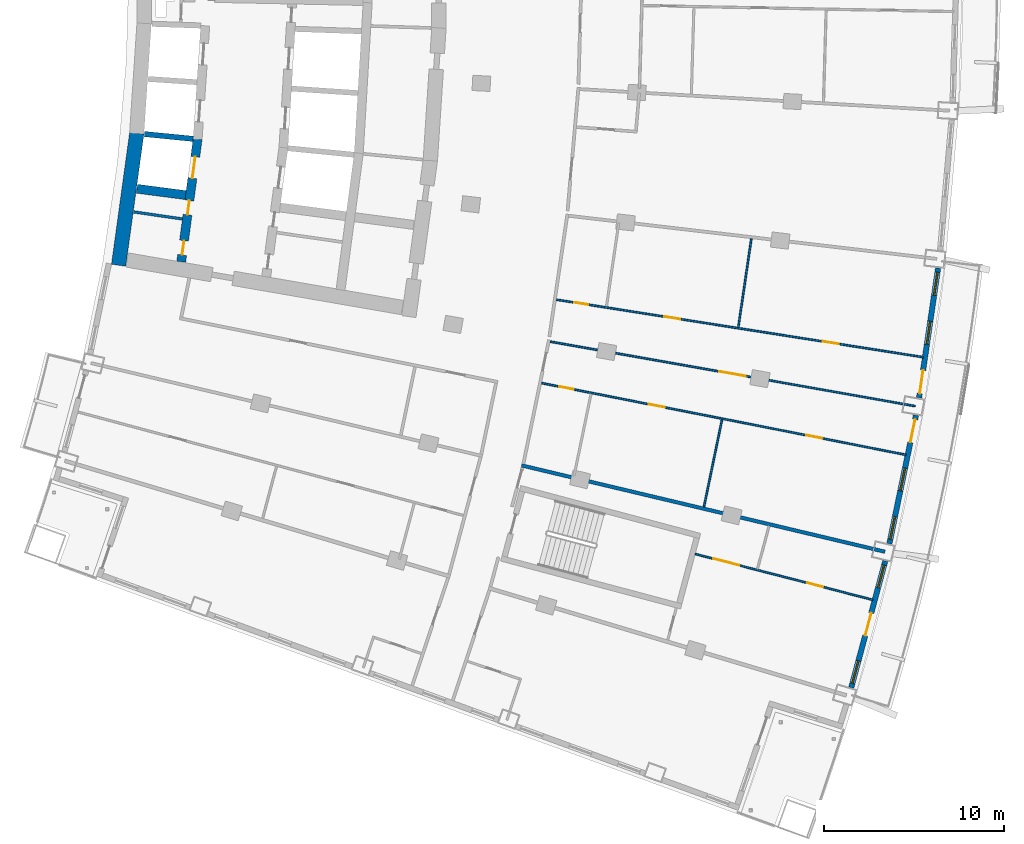
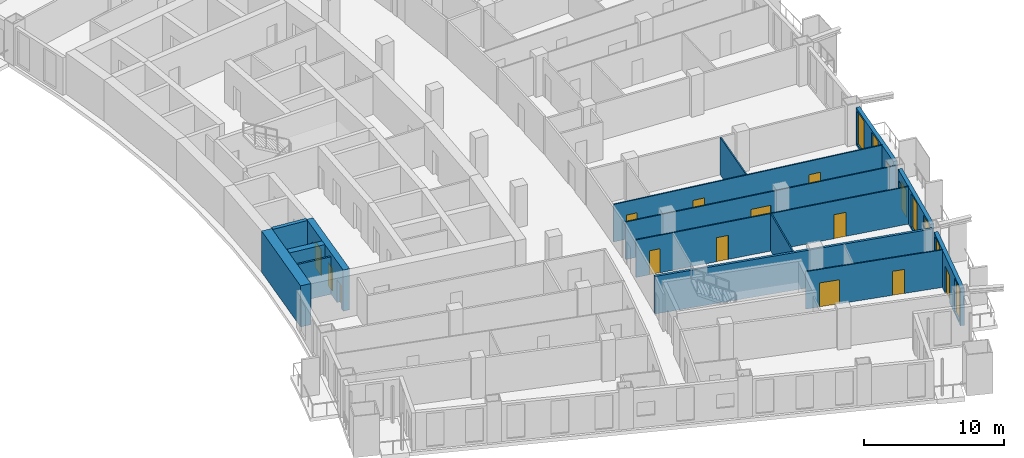
# One storey, part 15 of 25: 15 doors, 15 walls, 6 windows, 21 openings.
"""IFC4 building model written with IfcOpenShell, lengths in metres."""

from ifc_helpers import new_model, si_unit, direction, frame, frame_2d, origin, place, context, subcontext, project, spatial, rectangle, extrude, material, layer, layer_set, type_object, element, fill, save


model = new_model("IFC4")

# Units and contexts
model_context = context("Model", 3, precision=1e-05, world=origin(), true_north=direction((0.0, 1.0)))
body_context = subcontext(model_context, "Body", "Model", "MODEL_VIEW")
ifc_project = project(units=[si_unit("LENGTHUNIT", "METRE"), si_unit("AREAUNIT", "SQUARE_METRE"), si_unit("VOLUMEUNIT", "CUBIC_METRE"), si_unit("PLANEANGLEUNIT", "RADIAN"), si_unit("MASSUNIT", "GRAM", prefix="KILO")], contexts=[model_context])

# Site, building, storey
site_placement = place(None, origin())
site = spatial("IfcSite", under=ifc_project, at=site_placement, CompositionType="ELEMENT")
building_placement = place(site_placement, origin())
building = spatial("IfcBuilding", under=site, at=building_placement, Name="Alderwake Tower", CompositionType="ELEMENT")
storey_placement = place(building_placement, frame((0.0, 0.0, 86.0)))
storey = spatial("IfcBuildingStorey", under=building, at=storey_placement, Name="L20", CompositionType="ELEMENT", Elevation=86.0)

# Walls
ifc_material_1 = material(Name="Gypsum shaft wall system, rated")
ifc_layer_1 = layer(ifc_material_1, 0.14990234375)
ifc_layer_set_1 = layer_set([ifc_layer_1], Name="Core room partition 150")
wall_type_1 = type_object("IfcWallType", Name="Core room partition 150", PredefinedType="PARTITIONING", material=ifc_layer_set_1)
wall_1_placement = place(storey_placement, frame((16.262451171875, 47.096435546875, 0.0), z_axis=(0.0, 0.0, 1.0), x_axis=(0.989725129284, -0.14298310552, 0.0)))
element("IfcWall", 1, at=wall_1_placement, inside=storey, type_object=wall_type_1, Name="CW/L20/PR-150_+0", PredefinedType="PARTITIONING", context=body_context, shape_type="SweptSolid", body=[
    extrude(rectangle(XDim=2.7353515625, YDim=0.14990234375, at=frame_2d((1.36767578125, 0.0))), origin(), (0.0, 0.0, 1.0), 3.280029296875),
])
ifc_material_2 = material(Name="Concrete C70/85", Category="concrete")
ifc_layer_2 = layer(ifc_material_2, 0.800048828125)
ifc_layer_set_2 = layer_set([ifc_layer_2], Name="Core wall outer 800 C70-85")
wall_type_2 = type_object("IfcWallType", Name="Core wall outer 800 C70-85", PredefinedType="SHEAR", material=ifc_layer_set_2)
wall_2_placement = place(storey_placement, frame((15.419921875, 44.12890625, 0.0), z_axis=(0.0, 0.0, 1.0), x_axis=(0.13634256868, 0.990661750531, 0.0)))
element("IfcWall", 2, at=wall_2_placement, inside=storey, type_object=wall_type_2, Name="Core wall CW.042", PredefinedType="SHEAR", context=body_context, shape_type="SweptSolid", body=[
    extrude(rectangle(XDim=7.42578125, YDim=0.800048828125, at=frame_2d((3.712890625, 0.0))), origin(), (0.0, 0.0, 1.0), 3.60009765625),
])
ifc_material_3 = material(Name="Concrete C70/85", Category="concrete")
ifc_layer_3 = layer(ifc_material_3, 0.300048828125)
ifc_layer_set_3 = layer_set([ifc_layer_3], Name="Core wall shaft 300 C70-85")
wall_type_3 = type_object("IfcWallType", Name="Core wall shaft 300 C70-85", PredefinedType="SHEAR", material=ifc_layer_set_3)
wall_3_placement = place(storey_placement, frame((16.8583984375, 51.4287109375, 0.0), z_axis=(0.0, 0.0, 1.0), x_axis=(0.995157330456, -0.098294901394, 0.0)))
element("IfcWall", 3, at=wall_3_placement, inside=storey, type_object=wall_type_3, Name="Core wall CW.065", PredefinedType="SHEAR", context=body_context, shape_type="SweptSolid", body=[
    extrude(rectangle(XDim=2.7197265625, YDim=0.300048828125, at=frame_2d((1.35986328125, 0.0))), origin(), (0.0, 0.0, 1.0), 3.60009765625),
])

# Wall, openings, doors
ifc_material_4 = material(Name="Concrete C70/85", Category="concrete")
ifc_layer_4 = layer(ifc_material_4, 0.5)
ifc_layer_set_4 = layer_set([ifc_layer_4], Name="Core wall spine 500 C70-85")
wall_type_4 = type_object("IfcWallType", Name="Core wall spine 500 C70-85", PredefinedType="SHEAR", material=ifc_layer_set_4)
wall_4_placement = place(storey_placement, frame((19.81494140625, 51.145263671875, 0.0), z_axis=(0.0, 0.0, 1.0), x_axis=(-0.132349652161, -0.991203091991, 0.0)))
wall_4 = element("IfcWall", 4, at=wall_4_placement, inside=storey, type_object=wall_type_4, Name="Core wall CW.033", PredefinedType="SHEAR", context=body_context, shape_type="SweptSolid", body=[
    extrude(rectangle(XDim=6.880615234375, YDim=0.5, at=frame_2d((3.4404296875, 0.0))), origin(), (0.0, 0.0, 1.0), 3.60009765625),
])
opening_1_placement = place(wall_4_placement, frame((0.99072265625, 0.0, 0.0)))
opening_1 = element("IfcOpeningElement", 5, at=opening_1_placement, cuts=wall_4, Name="Opening LD-LP1", PredefinedType="OPENING", context=body_context, shape_type="SweptSolid", body=[
    extrude(rectangle(XDim=1.199951171875, YDim=2.300048828125, at=frame_2d((0.60009765625, 1.14990234375))), frame((0.0, 0.260009765625, 0.0), z_axis=(0.0, -1.0, 0.0), x_axis=(1.0, 0.0, 0.0)), (0.0, 0.0, 1.0), 0.52001953125),
])
opening_2_placement = place(wall_4_placement, frame((5.698486328125, 0.0, 0.0)))
opening_2 = element("IfcOpeningElement", 6, at=opening_2_placement, cuts=wall_4, Name="Opening C008", PredefinedType="OPENING", context=body_context, shape_type="SweptSolid", body=[
    extrude(rectangle(XDim=0.800048828125, YDim=2.0, at=frame_2d((0.39990234375, 1.0))), frame((0.0, 0.260009765625, 0.0), z_axis=(0.0, -1.0, 0.0), x_axis=(1.0, 0.0, 0.0)), (0.0, 0.0, 1.0), 0.52001953125),
])
opening_3_placement = place(wall_4_placement, frame((3.444580078125, 0.0, 0.0)))
opening_3 = element("IfcOpeningElement", 7, at=opening_3_placement, cuts=wall_4, Name="Opening C012", PredefinedType="OPENING", context=body_context, shape_type="SweptSolid", body=[
    extrude(rectangle(XDim=0.800048828125, YDim=2.0, at=frame_2d((0.39990234375, 1.0))), frame((0.0, 0.260009765625, 0.0), z_axis=(0.0, -1.0, 0.0), x_axis=(1.0, 0.0, 0.0)), (0.0, 0.0, 1.0), 0.52001953125),
])
ifc_material_5 = material(Name="Stainless steel sliding leaf", Category="steel")
door_type_1 = type_object("IfcDoorType", Name="Lift landing door 1200", OperationType="SLIDING_TO_LEFT", PredefinedType="DOOR", material=ifc_material_5)
door_1_placement = place(opening_1_placement, origin())
door_1 = element("IfcDoor", 8, at=door_1_placement, inside=storey, type_object=door_type_1, Name="Lift landing door LP1", OperationType="SLIDING_TO_LEFT", OverallHeight=2.300048828125, OverallWidth=1.199951171875, PredefinedType="DOOR", context=body_context, shape_type="SweptSolid", body=[
    extrude(rectangle(XDim=1.199951171875, YDim=2.300048828125, at=frame_2d((0.60009765625, 1.14990234375))), frame((0.0, 0.02490234375, 0.0), z_axis=(0.0, -1.0, 0.0), x_axis=(1.0, 0.0, 0.0)), (0.0, 0.0, 1.0), 0.050048828125),
])
fill(opening_1, door_1)
ifc_material_6 = material(Name="Painted steel leaf, rated", Category="steel")
door_type_2 = type_object("IfcDoorType", Name="Riser access door 800", OperationType="SINGLE_SWING_LEFT", PredefinedType="DOOR", material=ifc_material_6)
door_2_placement = place(opening_2_placement, origin())
door_2 = element("IfcDoor", 9, at=door_2_placement, inside=storey, type_object=door_type_2, Name="Riser access door", OperationType="SINGLE_SWING_LEFT", OverallHeight=2.0, OverallWidth=0.800048828125, PredefinedType="DOOR", context=body_context, shape_type="SweptSolid", body=[
    extrude(rectangle(XDim=0.800048828125, YDim=2.0, at=frame_2d((0.39990234375, 1.0))), frame((0.0, 0.02490234375, 0.0), z_axis=(0.0, -1.0, 0.0), x_axis=(1.0, 0.0, 0.0)), (0.0, 0.0, 1.0), 0.050048828125),
])
fill(opening_2, door_2)
door_3_placement = place(opening_3_placement, origin())
door_3 = element("IfcDoor", 10, at=door_3_placement, inside=storey, type_object=door_type_2, Name="Riser access door", OperationType="SINGLE_SWING_RIGHT", OverallHeight=2.0, OverallWidth=0.800048828125, PredefinedType="DOOR", context=body_context, shape_type="SweptSolid", body=[
    extrude(rectangle(XDim=0.800048828125, YDim=2.0, at=frame_2d((0.39990234375, 1.0))), frame((0.0, 0.02490234375, 0.0), z_axis=(0.0, -1.0, 0.0), x_axis=(1.0, 0.0, 0.0)), (0.0, 0.0, 1.0), 0.050048828125),
])
fill(opening_3, door_3)

# Wall
wall_5_placement = place(storey_placement, frame((16.43994140625, 48.38623046875, 0.0), z_axis=(0.0, 0.0, 1.0), x_axis=(0.991557472006, -0.129667959452, 0.0)))
element("IfcWall", 11, at=wall_5_placement, inside=storey, type_object=wall_type_4, Name="Core wall CW.067", PredefinedType="SHEAR", context=body_context, shape_type="SweptSolid", body=[
    extrude(rectangle(XDim=2.72998046875, YDim=0.5, at=frame_2d((1.364990234375, 0.0))), origin(), (0.0, 0.0, 1.0), 3.60009765625),
])

# Wall, openings, door, windows
ifc_material_7 = material(Name="Precast concrete C50/60 spandrel panel", Category="concrete")
ifc_layer_5 = layer(ifc_material_7, 0.300048828125)
ifc_layer_set_5 = layer_set([ifc_layer_5], Name="External wall EW1 Precast concrete C50/60 spandrel")
wall_type_5 = type_object("IfcWallType", Name="External wall EW1 Precast concrete C50/60 spandrel", PredefinedType="SOLIDWALL", material=ifc_layer_set_5)
wall_6_placement = place(storey_placement, frame((56.18017578125, 20.635498046875, 0.0), z_axis=(0.0, 0.0, 1.0), x_axis=(0.259478431082, 0.965748903082, 0.0)))
wall_6 = element("IfcWall", 12, at=wall_6_placement, inside=storey, type_object=wall_type_5, Name="External wall 12", PredefinedType="SOLIDWALL", context=body_context, shape_type="SweptSolid", body=[
    extrude(rectangle(XDim=7.287109375, YDim=0.300048828125, at=frame_2d((3.6435546875, 0.0))), origin(), (0.0, 0.0, 1.0), 3.280029296875),
])
opening_4_placement = place(wall_6_placement, frame((0.23681640625, 0.0, 0.199951171875)))
opening_4 = element("IfcOpeningElement", 13, at=opening_4_placement, cuts=wall_6, Name="Opening W1", PredefinedType="OPENING", context=body_context, shape_type="SweptSolid", body=[
    extrude(rectangle(XDim=1.300048828125, YDim=2.89990234375, at=frame_2d((0.64990234375, 1.449951171875))), frame((0.0, 0.159912109375, 0.0), z_axis=(0.0, -1.0, 0.0), x_axis=(1.0, 0.0, 0.0)), (0.0, 0.0, 1.0), 0.320068359375),
])
opening_5_placement = place(wall_6_placement, frame((2.99365234375, 0.0, 0.0)))
opening_5 = element("IfcOpeningElement", 14, at=opening_5_placement, cuts=wall_6, Name="Opening D03", PredefinedType="OPENING", context=body_context, shape_type="SweptSolid", body=[
    extrude(rectangle(XDim=1.300048828125, YDim=2.39990234375, at=frame_2d((0.64990234375, 1.199951171875))), frame((0.0, 0.159912109375, 0.0), z_axis=(0.0, -1.0, 0.0), x_axis=(1.0, 0.0, 0.0)), (0.0, 0.0, 1.0), 0.320068359375),
])
opening_6_placement = place(wall_6_placement, frame((5.75048828125, 0.0, 0.199951171875)))
opening_6 = element("IfcOpeningElement", 15, at=opening_6_placement, cuts=wall_6, Name="Opening W1", PredefinedType="OPENING", context=body_context, shape_type="SweptSolid", body=[
    extrude(rectangle(XDim=1.300048828125, YDim=2.89990234375, at=frame_2d((0.64990234375, 1.449951171875))), frame((0.0, 0.159912109375, 0.0), z_axis=(0.0, -1.0, 0.0), x_axis=(1.0, 0.0, 0.0)), (0.0, 0.0, 1.0), 0.320068359375),
])
ifc_material_8 = material(Name="Bronze tinted glass in aluminium frame", Category="aluminium")
door_type_3 = type_object("IfcDoorType", Name="Balcony door BD sliding", OperationType="SLIDING_TO_LEFT", PredefinedType="DOOR", material=ifc_material_8)
door_4_placement = place(opening_5_placement, origin())
door_4 = element("IfcDoor", 16, at=door_4_placement, inside=storey, type_object=door_type_3, Name="Door D03", OperationType="SLIDING_TO_LEFT", OverallHeight=2.39990234375, OverallWidth=1.300048828125, PredefinedType="DOOR", context=body_context, shape_type="SweptSolid", body=[
    extrude(rectangle(XDim=1.300048828125, YDim=2.39990234375, at=frame_2d((0.64990234375, 1.199951171875))), frame((0.0, 0.02490234375, 0.0), z_axis=(0.0, -1.0, 0.0), x_axis=(1.0, 0.0, 0.0)), (0.0, 0.0, 1.0), 0.050048828125),
])
fill(opening_5, door_4)
ifc_material_9 = material(Name="Bronze tinted glass in aluminium frame", Category="aluminium")
window_type = type_object("IfcWindowType", Name="Window W1 tall fixed and vent", PartitioningType="DOUBLE_PANEL_VERTICAL", PredefinedType="WINDOW", material=ifc_material_9)
window_1_placement = place(opening_4_placement, origin())
window_1 = element("IfcWindow", 17, at=window_1_placement, inside=storey, type_object=window_type, Name="Window W1 tall fixed and vent", OverallHeight=2.89990234375, OverallWidth=1.300048828125, PartitioningType="DOUBLE_PANEL_VERTICAL", PredefinedType="WINDOW", context=body_context, shape_type="SweptSolid", body=[
    extrude(rectangle(XDim=1.300048828125, YDim=2.89990234375, at=frame_2d((0.64990234375, 1.449951171875))), frame((0.0, 0.030029296875, 0.0), z_axis=(0.0, -1.0, 0.0), x_axis=(1.0, 0.0, 0.0)), (0.0, 0.0, 1.0), 0.06005859375),
])
fill(opening_4, window_1)
window_2_placement = place(opening_6_placement, origin())
window_2 = element("IfcWindow", 18, at=window_2_placement, inside=storey, type_object=window_type, Name="Window W1 tall fixed and vent", OverallHeight=2.89990234375, OverallWidth=1.300048828125, PartitioningType="DOUBLE_PANEL_VERTICAL", PredefinedType="WINDOW", context=body_context, shape_type="SweptSolid", body=[
    extrude(rectangle(XDim=1.300048828125, YDim=2.89990234375, at=frame_2d((0.64990234375, 1.449951171875))), frame((0.0, 0.030029296875, 0.0), z_axis=(0.0, -1.0, 0.0), x_axis=(1.0, 0.0, 0.0)), (0.0, 0.0, 1.0), 0.06005859375),
])
fill(opening_6, window_2)

wall_7_placement = place(storey_placement, frame((58.3017578125, 28.643310546875, 0.0), z_axis=(0.0, 0.0, 1.0), x_axis=(0.202747398162, 0.979231072086, 0.0)))
wall_7 = element("IfcWall", 19, at=wall_7_placement, inside=storey, type_object=wall_type_5, Name="External wall 13", PredefinedType="SOLIDWALL", context=body_context, shape_type="SweptSolid", body=[
    extrude(rectangle(XDim=7.28759765625, YDim=0.300048828125, at=frame_2d((3.643798828125, 0.0))), origin(), (0.0, 0.0, 1.0), 3.280029296875),
])
opening_7_placement = place(wall_7_placement, frame((0.23681640625, 0.0, 0.199951171875)))
opening_7 = element("IfcOpeningElement", 20, at=opening_7_placement, cuts=wall_7, Name="Opening W1", PredefinedType="OPENING", context=body_context, shape_type="SweptSolid", body=[
    extrude(rectangle(XDim=1.300048828125, YDim=2.89990234375, at=frame_2d((0.64990234375, 1.449951171875))), frame((0.0, 0.159912109375, 0.0), z_axis=(0.0, -1.0, 0.0), x_axis=(1.0, 0.0, 0.0)), (0.0, 0.0, 1.0), 0.320068359375),
])
opening_8_placement = place(wall_7_placement, frame((2.99365234375, 0.0, 0.199951171875)))
opening_8 = element("IfcOpeningElement", 21, at=opening_8_placement, cuts=wall_7, Name="Opening W1", PredefinedType="OPENING", context=body_context, shape_type="SweptSolid", body=[
    extrude(rectangle(XDim=1.300048828125, YDim=2.89990234375, at=frame_2d((0.64990234375, 1.449951171875))), frame((0.0, 0.159912109375, 0.0), z_axis=(0.0, -1.0, 0.0), x_axis=(1.0, 0.0, 0.0)), (0.0, 0.0, 1.0), 0.320068359375),
])
opening_9_placement = place(wall_7_placement, frame((5.75048828125, 0.0, 0.0)))
opening_9 = element("IfcOpeningElement", 22, at=opening_9_placement, cuts=wall_7, Name="Opening D04", PredefinedType="OPENING", context=body_context, shape_type="SweptSolid", body=[
    extrude(rectangle(XDim=1.300048828125, YDim=2.39990234375, at=frame_2d((0.64990234375, 1.199951171875))), frame((0.0, 0.159912109375, 0.0), z_axis=(0.0, -1.0, 0.0), x_axis=(1.0, 0.0, 0.0)), (0.0, 0.0, 1.0), 0.320068359375),
])
door_5_placement = place(opening_9_placement, origin())
door_5 = element("IfcDoor", 23, at=door_5_placement, inside=storey, type_object=door_type_3, Name="Door D04", OperationType="SLIDING_TO_LEFT", OverallHeight=2.39990234375, OverallWidth=1.300048828125, PredefinedType="DOOR", context=body_context, shape_type="SweptSolid", body=[
    extrude(rectangle(XDim=1.300048828125, YDim=2.39990234375, at=frame_2d((0.64990234375, 1.199951171875))), frame((0.0, 0.02490234375, 0.0), z_axis=(0.0, -1.0, 0.0), x_axis=(1.0, 0.0, 0.0)), (0.0, 0.0, 1.0), 0.050048828125),
])
fill(opening_9, door_5)
window_3_placement = place(opening_7_placement, origin())
window_3 = element("IfcWindow", 24, at=window_3_placement, inside=storey, type_object=window_type, Name="Window W1 tall fixed and vent", OverallHeight=2.89990234375, OverallWidth=1.300048828125, PartitioningType="DOUBLE_PANEL_VERTICAL", PredefinedType="WINDOW", context=body_context, shape_type="SweptSolid", body=[
    extrude(rectangle(XDim=1.300048828125, YDim=2.89990234375, at=frame_2d((0.64990234375, 1.449951171875))), frame((0.0, 0.030029296875, 0.0), z_axis=(0.0, -1.0, 0.0), x_axis=(1.0, 0.0, 0.0)), (0.0, 0.0, 1.0), 0.06005859375),
])
fill(opening_7, window_3)
window_4_placement = place(opening_8_placement, origin())
window_4 = element("IfcWindow", 25, at=window_4_placement, inside=storey, type_object=window_type, Name="Window W1 tall fixed and vent", OverallHeight=2.89990234375, OverallWidth=1.300048828125, PartitioningType="DOUBLE_PANEL_VERTICAL", PredefinedType="WINDOW", context=body_context, shape_type="SweptSolid", body=[
    extrude(rectangle(XDim=1.300048828125, YDim=2.89990234375, at=frame_2d((0.64990234375, 1.449951171875))), frame((0.0, 0.030029296875, 0.0), z_axis=(0.0, -1.0, 0.0), x_axis=(1.0, 0.0, 0.0)), (0.0, 0.0, 1.0), 0.06005859375),
])
fill(opening_8, window_4)

wall_8_placement = place(storey_placement, frame((59.952880859375, 36.761474609375, 0.0), z_axis=(0.0, 0.0, 1.0), x_axis=(0.145299158465, 0.989387767536, 0.0)))
wall_8 = element("IfcWall", 26, at=wall_8_placement, inside=storey, type_object=wall_type_5, Name="External wall 14", PredefinedType="SOLIDWALL", context=body_context, shape_type="SweptSolid", body=[
    extrude(rectangle(XDim=7.287353515625, YDim=0.300048828125, at=frame_2d((3.6435546875, 0.0))), origin(), (0.0, 0.0, 1.0), 3.280029296875),
])
opening_10_placement = place(wall_8_placement, frame((0.23681640625, 0.0, 0.0)))
opening_10 = element("IfcOpeningElement", 27, at=opening_10_placement, cuts=wall_8, Name="Opening D05", PredefinedType="OPENING", context=body_context, shape_type="SweptSolid", body=[
    extrude(rectangle(XDim=1.300048828125, YDim=2.39990234375, at=frame_2d((0.64990234375, 1.199951171875))), frame((0.0, 0.159912109375, 0.0), z_axis=(0.0, -1.0, 0.0), x_axis=(1.0, 0.0, 0.0)), (0.0, 0.0, 1.0), 0.320068359375),
])
opening_11_placement = place(wall_8_placement, frame((2.99365234375, 0.0, 0.199951171875)))
opening_11 = element("IfcOpeningElement", 28, at=opening_11_placement, cuts=wall_8, Name="Opening W1", PredefinedType="OPENING", context=body_context, shape_type="SweptSolid", body=[
    extrude(rectangle(XDim=1.300048828125, YDim=2.89990234375, at=frame_2d((0.64990234375, 1.449951171875))), frame((0.0, 0.159912109375, 0.0), z_axis=(0.0, -1.0, 0.0), x_axis=(1.0, 0.0, 0.0)), (0.0, 0.0, 1.0), 0.320068359375),
])
opening_12_placement = place(wall_8_placement, frame((5.75048828125, 0.0, 0.199951171875)))
opening_12 = element("IfcOpeningElement", 29, at=opening_12_placement, cuts=wall_8, Name="Opening W1", PredefinedType="OPENING", context=body_context, shape_type="SweptSolid", body=[
    extrude(rectangle(XDim=1.300048828125, YDim=2.89990234375, at=frame_2d((0.64990234375, 1.449951171875))), frame((0.0, 0.159912109375, 0.0), z_axis=(0.0, -1.0, 0.0), x_axis=(1.0, 0.0, 0.0)), (0.0, 0.0, 1.0), 0.320068359375),
])
door_6_placement = place(opening_10_placement, origin())
door_6 = element("IfcDoor", 30, at=door_6_placement, inside=storey, type_object=door_type_3, Name="Door D05", OperationType="SLIDING_TO_LEFT", OverallHeight=2.39990234375, OverallWidth=1.300048828125, PredefinedType="DOOR", context=body_context, shape_type="SweptSolid", body=[
    extrude(rectangle(XDim=1.300048828125, YDim=2.39990234375, at=frame_2d((0.64990234375, 1.199951171875))), frame((0.0, 0.02490234375, 0.0), z_axis=(0.0, -1.0, 0.0), x_axis=(1.0, 0.0, 0.0)), (0.0, 0.0, 1.0), 0.050048828125),
])
fill(opening_10, door_6)
window_5_placement = place(opening_11_placement, origin())
window_5 = element("IfcWindow", 31, at=window_5_placement, inside=storey, type_object=window_type, Name="Window W1 tall fixed and vent", OverallHeight=2.89990234375, OverallWidth=1.300048828125, PartitioningType="DOUBLE_PANEL_VERTICAL", PredefinedType="WINDOW", context=body_context, shape_type="SweptSolid", body=[
    extrude(rectangle(XDim=1.300048828125, YDim=2.89990234375, at=frame_2d((0.64990234375, 1.449951171875))), frame((0.0, 0.030029296875, 0.0), z_axis=(0.0, -1.0, 0.0), x_axis=(1.0, 0.0, 0.0)), (0.0, 0.0, 1.0), 0.06005859375),
])
fill(opening_11, window_5)
window_6_placement = place(opening_12_placement, origin())
window_6 = element("IfcWindow", 32, at=window_6_placement, inside=storey, type_object=window_type, Name="Window W1 tall fixed and vent", OverallHeight=2.89990234375, OverallWidth=1.300048828125, PartitioningType="DOUBLE_PANEL_VERTICAL", PredefinedType="WINDOW", context=body_context, shape_type="SweptSolid", body=[
    extrude(rectangle(XDim=1.300048828125, YDim=2.89990234375, at=frame_2d((0.64990234375, 1.449951171875))), frame((0.0, 0.030029296875, 0.0), z_axis=(0.0, -1.0, 0.0), x_axis=(1.0, 0.0, 0.0)), (0.0, 0.0, 1.0), 0.06005859375),
])
fill(opening_12, window_6)

# Wall
ifc_material_10 = material(Name="Dense block masonry wall", Category="masonry")
ifc_layer_6 = layer(ifc_material_10, 0.199951171875)
ifc_layer_set_6 = layer_set([ifc_layer_6], Name="Party wall 200")
wall_type_6 = type_object("IfcWallType", Name="Party wall 200", PredefinedType="SOLIDWALL", material=ifc_layer_set_6)
wall_9_placement = place(storey_placement, frame((37.839111328125, 32.994384765625, 0.0), z_axis=(0.0, 0.0, 1.0), x_axis=(0.972915151152, -0.231162515686, 0.0)))
element("IfcWall", 33, at=wall_9_placement, inside=storey, type_object=wall_type_6, Name="WL/L20/W06", PredefinedType="SOLIDWALL", context=body_context, shape_type="SweptSolid", body=[
    extrude(rectangle(XDim=20.779541015625, YDim=0.199951171875, at=frame_2d((10.3896484375, 0.0))), origin(), (0.0, 0.0, 1.0), 3.280029296875),
])

# Wall, openings, doors
ifc_material_11 = material(Name="Gypsum board on metal studs")
ifc_layer_7 = layer(ifc_material_11, 0.10009765625)
ifc_layer_set_7 = layer_set([ifc_layer_7], Name="Unit partition 100")
wall_type_7 = type_object("IfcWallType", Name="Unit partition 100", PredefinedType="PARTITIONING", material=ifc_layer_set_7)
wall_10_placement = place(storey_placement, frame((59.222900390625, 33.58203125, 0.0), z_axis=(0.0, 0.0, 1.0), x_axis=(-0.981155808083, 0.193218219287, 0.0)))
wall_10 = element("IfcWall", 34, at=wall_10_placement, inside=storey, type_object=wall_type_7, Name="WL/L20/W67", PredefinedType="PARTITIONING", context=body_context, shape_type="SweptSolid", body=[
    extrude(rectangle(XDim=20.662841796875, YDim=0.10009765625, at=frame_2d((10.33154296875, 0.0))), origin(), (0.0, 0.0, 1.0), 3.280029296875),
])
opening_13_placement = place(wall_10_placement, frame((13.681396484375, 0.0, 0.0)))
opening_13 = element("IfcOpeningElement", 35, at=opening_13_placement, cuts=wall_10, Name="Opening R05-U05.1", PredefinedType="OPENING", context=body_context, shape_type="SweptSolid", body=[
    extrude(rectangle(XDim=0.89990234375, YDim=2.10009765625, at=frame_2d((0.449951171875, 1.050048828125))), frame((0.0, 0.06005859375, 0.0), z_axis=(0.0, -1.0, 0.0), x_axis=(1.0, 0.0, 0.0)), (0.0, 0.0, 1.0), 0.1201171875),
])
opening_14_placement = place(wall_10_placement, frame((18.853515625, 0.0, 0.0)))
opening_14 = element("IfcOpeningElement", 36, at=opening_14_placement, cuts=wall_10, Name="Opening R05-U05.3", PredefinedType="OPENING", context=body_context, shape_type="SweptSolid", body=[
    extrude(rectangle(XDim=0.800048828125, YDim=2.10009765625, at=frame_2d((0.39990234375, 1.050048828125))), frame((0.0, 0.06005859375, 0.0), z_axis=(0.0, -1.0, 0.0), x_axis=(1.0, 0.0, 0.0)), (0.0, 0.0, 1.0), 0.1201171875),
])
opening_15_placement = place(wall_10_placement, frame((4.759765625, 0.0, 0.0)))
opening_15 = element("IfcOpeningElement", 37, at=opening_15_placement, cuts=wall_10, Name="Opening R05-U05.4", PredefinedType="OPENING", context=body_context, shape_type="SweptSolid", body=[
    extrude(rectangle(XDim=0.89990234375, YDim=2.10009765625, at=frame_2d((0.449951171875, 1.050048828125))), frame((0.0, 0.06005859375, 0.0), z_axis=(0.0, -1.0, 0.0), x_axis=(1.0, 0.0, 0.0)), (0.0, 0.0, 1.0), 0.1201171875),
])
ifc_material_12 = material(Name="Painted timber leaf", Category="wood")
door_type_4 = type_object("IfcDoorType", Name="Bathroom door 800", OperationType="SINGLE_SWING_LEFT", PredefinedType="DOOR", material=ifc_material_12)
door_7_placement = place(opening_14_placement, origin())
door_7 = element("IfcDoor", 38, at=door_7_placement, inside=storey, type_object=door_type_4, Name="DR/L20/U05.3", OperationType="SINGLE_SWING_LEFT", OverallHeight=2.10009765625, OverallWidth=0.800048828125, PredefinedType="DOOR", context=body_context, shape_type="SweptSolid", body=[
    extrude(rectangle(XDim=0.800048828125, YDim=2.10009765625, at=frame_2d((0.39990234375, 1.050048828125))), frame((0.0, 0.02490234375, 0.0), z_axis=(0.0, -1.0, 0.0), x_axis=(1.0, 0.0, 0.0)), (0.0, 0.0, 1.0), 0.050048828125),
])
fill(opening_14, door_7)
ifc_material_13 = material(Name="Painted timber leaf", Category="wood")
door_type_5 = type_object("IfcDoorType", Name="Room door 900", OperationType="SINGLE_SWING_LEFT", PredefinedType="DOOR", material=ifc_material_13)
door_8_placement = place(opening_13_placement, origin())
door_8 = element("IfcDoor", 39, at=door_8_placement, inside=storey, type_object=door_type_5, Name="DR/L20/U05.1", OperationType="SINGLE_SWING_LEFT", OverallHeight=2.10009765625, OverallWidth=0.89990234375, PredefinedType="DOOR", context=body_context, shape_type="SweptSolid", body=[
    extrude(rectangle(XDim=0.89990234375, YDim=2.10009765625, at=frame_2d((0.449951171875, 1.050048828125))), frame((0.0, 0.02490234375, 0.0), z_axis=(0.0, -1.0, 0.0), x_axis=(1.0, 0.0, 0.0)), (0.0, 0.0, 1.0), 0.050048828125),
])
fill(opening_13, door_8)
door_9_placement = place(opening_15_placement, origin())
door_9 = element("IfcDoor", 40, at=door_9_placement, inside=storey, type_object=door_type_5, Name="DR/L20/U05.4", OperationType="SINGLE_SWING_LEFT", OverallHeight=2.10009765625, OverallWidth=0.89990234375, PredefinedType="DOOR", context=body_context, shape_type="SweptSolid", body=[
    extrude(rectangle(XDim=0.89990234375, YDim=2.10009765625, at=frame_2d((0.449951171875, 1.050048828125))), frame((0.0, 0.02490234375, 0.0), z_axis=(0.0, -1.0, 0.0), x_axis=(1.0, 0.0, 0.0)), (0.0, 0.0, 1.0), 0.050048828125),
])
fill(opening_15, door_9)

wall_11_placement = place(storey_placement, frame((39.76904296875, 42.215576171875, 0.0), z_axis=(0.0, 0.0, 1.0), x_axis=(0.987930802419, -0.154895867056, 0.0)))
wall_11 = element("IfcWall", 41, at=wall_11_placement, inside=storey, type_object=wall_type_7, Name="WL/L20/W68", PredefinedType="PARTITIONING", context=body_context, shape_type="SweptSolid", body=[
    extrude(rectangle(XDim=20.66357421875, YDim=0.10009765625, at=frame_2d((10.331787109375, 0.0))), origin(), (0.0, 0.0, 1.0), 3.280029296875),
])
opening_16_placement = place(wall_11_placement, frame((6.08251953125, 0.0, 0.0)))
opening_16 = element("IfcOpeningElement", 42, at=opening_16_placement, cuts=wall_11, Name="Opening R05-U05.5", PredefinedType="OPENING", context=body_context, shape_type="SweptSolid", body=[
    extrude(rectangle(XDim=0.89990234375, YDim=2.10009765625, at=frame_2d((0.449951171875, 1.050048828125))), frame((0.0, 0.06005859375, 0.0), z_axis=(0.0, -1.0, 0.0), x_axis=(1.0, 0.0, 0.0)), (0.0, 0.0, 1.0), 0.1201171875),
])
opening_17_placement = place(wall_11_placement, frame((1.010009765625, 0.0, 0.0)))
opening_17 = element("IfcOpeningElement", 43, at=opening_17_placement, cuts=wall_11, Name="Opening R05-U05.6", PredefinedType="OPENING", context=body_context, shape_type="SweptSolid", body=[
    extrude(rectangle(XDim=0.800048828125, YDim=2.10009765625, at=frame_2d((0.39990234375, 1.050048828125))), frame((0.0, 0.06005859375, 0.0), z_axis=(0.0, -1.0, 0.0), x_axis=(1.0, 0.0, 0.0)), (0.0, 0.0, 1.0), 0.1201171875),
])
opening_18_placement = place(wall_11_placement, frame((15.004150390625, 0.0, 0.0)))
opening_18 = element("IfcOpeningElement", 44, at=opening_18_placement, cuts=wall_11, Name="Opening R05-U05.7", PredefinedType="OPENING", context=body_context, shape_type="SweptSolid", body=[
    extrude(rectangle(XDim=0.89990234375, YDim=2.10009765625, at=frame_2d((0.449951171875, 1.050048828125))), frame((0.0, 0.06005859375, 0.0), z_axis=(0.0, -1.0, 0.0), x_axis=(1.0, 0.0, 0.0)), (0.0, 0.0, 1.0), 0.1201171875),
])
door_10_placement = place(opening_17_placement, origin())
door_10 = element("IfcDoor", 45, at=door_10_placement, inside=storey, type_object=door_type_4, Name="DR/L20/U05.6", OperationType="SINGLE_SWING_LEFT", OverallHeight=2.10009765625, OverallWidth=0.800048828125, PredefinedType="DOOR", context=body_context, shape_type="SweptSolid", body=[
    extrude(rectangle(XDim=0.800048828125, YDim=2.10009765625, at=frame_2d((0.39990234375, 1.050048828125))), frame((0.0, 0.02490234375, 0.0), z_axis=(0.0, -1.0, 0.0), x_axis=(1.0, 0.0, 0.0)), (0.0, 0.0, 1.0), 0.050048828125),
])
fill(opening_17, door_10)
door_11_placement = place(opening_16_placement, origin())
door_11 = element("IfcDoor", 46, at=door_11_placement, inside=storey, type_object=door_type_5, Name="DR/L20/U05.5", OperationType="SINGLE_SWING_LEFT", OverallHeight=2.10009765625, OverallWidth=0.89990234375, PredefinedType="DOOR", context=body_context, shape_type="SweptSolid", body=[
    extrude(rectangle(XDim=0.89990234375, YDim=2.10009765625, at=frame_2d((0.449951171875, 1.050048828125))), frame((0.0, 0.02490234375, 0.0), z_axis=(0.0, -1.0, 0.0), x_axis=(1.0, 0.0, 0.0)), (0.0, 0.0, 1.0), 0.050048828125),
])
fill(opening_16, door_11)
door_12_placement = place(opening_18_placement, origin())
door_12 = element("IfcDoor", 47, at=door_12_placement, inside=storey, type_object=door_type_5, Name="DR/L20/U05.7", OperationType="SINGLE_SWING_LEFT", OverallHeight=2.10009765625, OverallWidth=0.89990234375, PredefinedType="DOOR", context=body_context, shape_type="SweptSolid", body=[
    extrude(rectangle(XDim=0.89990234375, YDim=2.10009765625, at=frame_2d((0.449951171875, 1.050048828125))), frame((0.0, 0.02490234375, 0.0), z_axis=(0.0, -1.0, 0.0), x_axis=(1.0, 0.0, 0.0)), (0.0, 0.0, 1.0), 0.050048828125),
])
fill(opening_18, door_12)

wall_12_placement = place(storey_placement, frame((57.386962890625, 25.511962890625, 0.0), z_axis=(0.0, 0.0, 1.0), x_axis=(-0.968172383403, 0.250284310368, 0.0)))
wall_12 = element("IfcWall", 48, at=wall_12_placement, inside=storey, type_object=wall_type_7, Name="WL/L20/W74", PredefinedType="PARTITIONING", context=body_context, shape_type="SweptSolid", body=[
    extrude(rectangle(XDim=10.212890625, YDim=0.10009765625, at=frame_2d((5.1064453125, 0.0))), origin(), (0.0, 0.0, 1.0), 3.280029296875),
])
opening_19_placement = place(wall_12_placement, frame((7.680908203125, 0.0, 0.0)))
opening_19 = element("IfcOpeningElement", 49, at=opening_19_placement, cuts=wall_12, Name="Opening R05-U01.2", PredefinedType="OPENING", context=body_context, shape_type="SweptSolid", body=[
    extrude(rectangle(XDim=1.5, YDim=2.10009765625, at=frame_2d((0.75, 1.050048828125))), frame((0.0, 0.06005859375, 0.0), z_axis=(0.0, -1.0, 0.0), x_axis=(1.0, 0.0, 0.0)), (0.0, 0.0, 1.0), 0.1201171875),
])
opening_20_placement = place(wall_12_placement, frame((2.874755859375, 0.0, 0.0)))
opening_20 = element("IfcOpeningElement", 50, at=opening_20_placement, cuts=wall_12, Name="Opening R05-U01.3", PredefinedType="OPENING", context=body_context, shape_type="SweptSolid", body=[
    extrude(rectangle(XDim=0.89990234375, YDim=2.10009765625, at=frame_2d((0.449951171875, 1.050048828125))), frame((0.0, 0.06005859375, 0.0), z_axis=(0.0, -1.0, 0.0), x_axis=(1.0, 0.0, 0.0)), (0.0, 0.0, 1.0), 0.1201171875),
])
ifc_material_14 = material(Name="Painted timber leaves", Category="wood")
door_type_6 = type_object("IfcDoorType", Name="Double leaf door 1500", OperationType="DOUBLE_DOOR_SINGLE_SWING", PredefinedType="DOOR", material=ifc_material_14)
door_13_placement = place(opening_19_placement, origin())
door_13 = element("IfcDoor", 51, at=door_13_placement, inside=storey, type_object=door_type_6, Name="DR/L20/U01.2", OperationType="DOUBLE_DOOR_SINGLE_SWING", OverallHeight=2.10009765625, OverallWidth=1.5, PredefinedType="DOOR", context=body_context, shape_type="SweptSolid", body=[
    extrude(rectangle(XDim=1.5, YDim=2.10009765625, at=frame_2d((0.75, 1.050048828125))), frame((0.0, 0.02490234375, 0.0), z_axis=(0.0, -1.0, 0.0), x_axis=(1.0, 0.0, 0.0)), (0.0, 0.0, 1.0), 0.050048828125),
])
fill(opening_19, door_13)
door_14_placement = place(opening_20_placement, origin())
door_14 = element("IfcDoor", 52, at=door_14_placement, inside=storey, type_object=door_type_5, Name="DR/L20/U01.3", OperationType="SINGLE_SWING_LEFT", OverallHeight=2.10009765625, OverallWidth=0.89990234375, PredefinedType="DOOR", context=body_context, shape_type="SweptSolid", body=[
    extrude(rectangle(XDim=0.89990234375, YDim=2.10009765625, at=frame_2d((0.449951171875, 1.050048828125))), frame((0.0, 0.02490234375, 0.0), z_axis=(0.0, -1.0, 0.0), x_axis=(1.0, 0.0, 0.0)), (0.0, 0.0, 1.0), 0.050048828125),
])
fill(opening_20, door_14)

# Walls
wall_13_placement = place(storey_placement, frame((47.984375, 30.68603515625, 0.0), z_axis=(0.0, 0.0, 1.0), x_axis=(0.202960188958, 0.97918699016, 0.0)))
element("IfcWall", 53, at=wall_13_placement, inside=storey, type_object=wall_type_7, Name="WL/L20/W76", PredefinedType="PARTITIONING", context=body_context, shape_type="SweptSolid", body=[
    extrude(rectangle(XDim=4.963134765625, YDim=0.10009765625, at=frame_2d((2.4814453125, 0.0))), origin(), (0.0, 0.0, 1.0), 3.280029296875),
])
wall_14_placement = place(storey_placement, frame((49.897216796875, 40.678466796875, 0.0), z_axis=(0.0, 0.0, 1.0), x_axis=(0.145444645859, 0.989366390672, 0.0)))
element("IfcWall", 54, at=wall_14_placement, inside=storey, type_object=wall_type_7, Name="WL/L20/W78", PredefinedType="PARTITIONING", context=body_context, shape_type="SweptSolid", body=[
    extrude(rectangle(XDim=4.9853515625, YDim=0.10009765625, at=frame_2d((2.49267578125, 0.0))), origin(), (0.0, 0.0, 1.0), 3.280029296875),
])

# Wall, opening, door
wall_15_placement = place(storey_placement, frame((39.4267578125, 39.883056640625, 0.0), z_axis=(0.0, 0.0, 1.0), x_axis=(0.984736442892, -0.174052113003, 0.0)))
wall_15 = element("IfcWall", 55, at=wall_15_placement, inside=storey, type_object=wall_type_7, Name="WL/L20/W85", PredefinedType="PARTITIONING", context=body_context, shape_type="SweptSolid", body=[
    extrude(rectangle(XDim=20.620849609375, YDim=0.10009765625, at=frame_2d((10.310546875, 0.0))), origin(), (0.0, 0.0, 1.0), 3.280029296875),
])
opening_21_placement = place(wall_15_placement, frame((9.560302734375, 0.0, 0.0)))
opening_21 = element("IfcOpeningElement", 56, at=opening_21_placement, cuts=wall_15, Name="Opening R05-U05.8", PredefinedType="OPENING", context=body_context, shape_type="SweptSolid", body=[
    extrude(rectangle(XDim=1.5, YDim=2.10009765625, at=frame_2d((0.75, 1.050048828125))), frame((0.0, 0.06005859375, 0.0), z_axis=(0.0, -1.0, 0.0), x_axis=(1.0, 0.0, 0.0)), (0.0, 0.0, 1.0), 0.1201171875),
])
door_15_placement = place(opening_21_placement, origin())
door_15 = element("IfcDoor", 57, at=door_15_placement, inside=storey, type_object=door_type_6, Name="DR/L20/U05.8", OperationType="DOUBLE_DOOR_SINGLE_SWING", OverallHeight=2.10009765625, OverallWidth=1.5, PredefinedType="DOOR", context=body_context, shape_type="SweptSolid", body=[
    extrude(rectangle(XDim=1.5, YDim=2.10009765625, at=frame_2d((0.75, 1.050048828125))), frame((0.0, 0.02490234375, 0.0), z_axis=(0.0, -1.0, 0.0), x_axis=(1.0, 0.0, 0.0)), (0.0, 0.0, 1.0), 0.050048828125),
])
fill(opening_21, door_15)

save(model, "model.ifc")
